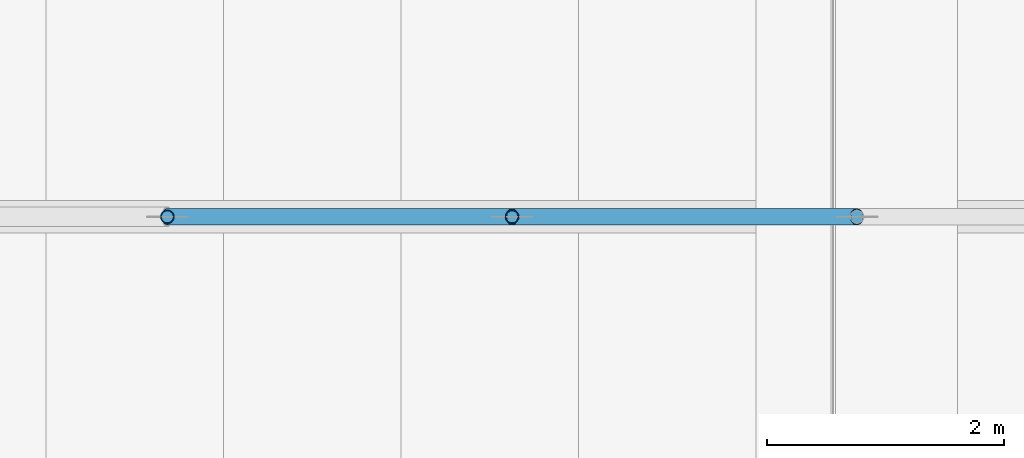
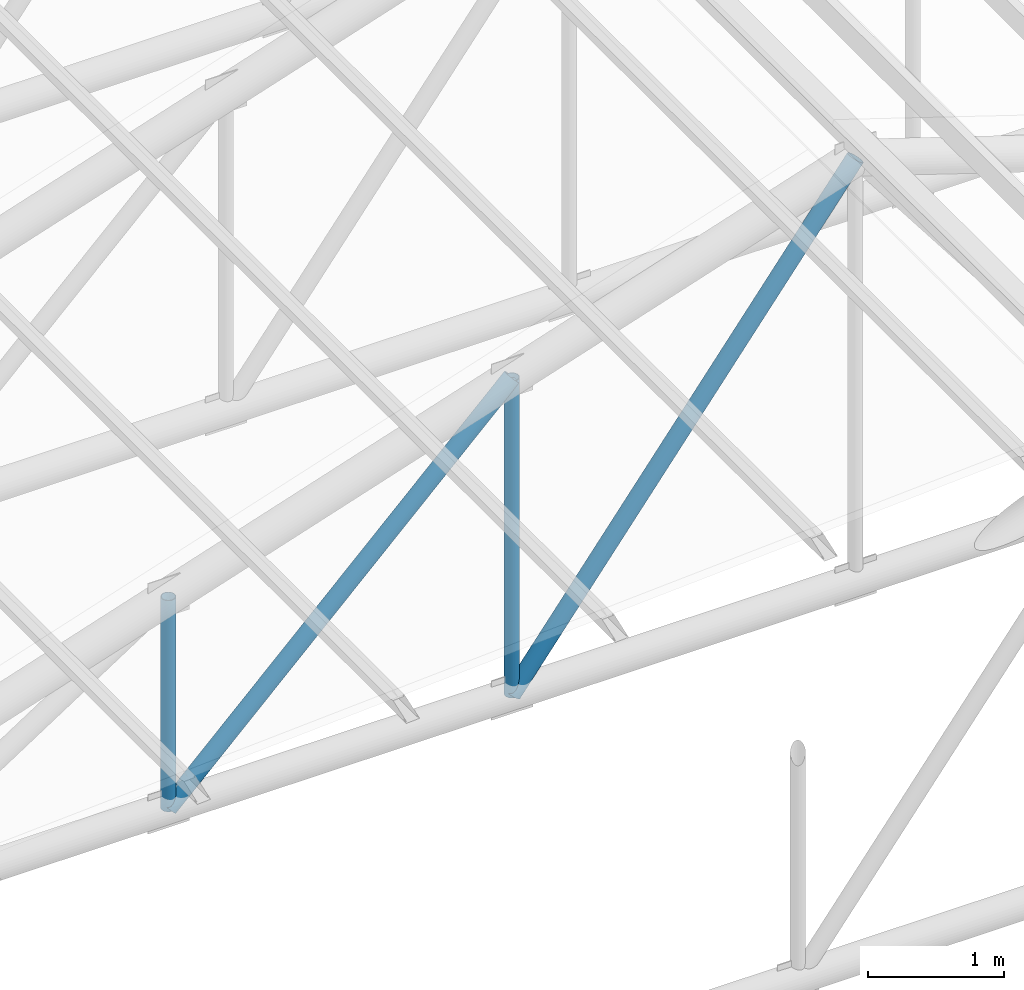
# One storey, part 41 of 95: 4 members.
"""IFC4 building model written with IfcOpenShell, lengths in metres."""

import ifcopenshell
import ifcopenshell.guid

model = None  # the IFC model being written
_history = None  # IfcOwnerHistory: only IFC2X3 demands one
_inside = {}  # id of a spatial element -> (the spatial element, [elements in it])
_under = {}  # id of a project, library or spatial element -> (it, [spatial elements below it])
_declared = {}  # id of a project -> (the project, [libraries it declares])
_typed = {}  # id of a type object -> (the type object, [elements of that type])
_made_of = {}  # id of a material, layer set ... -> (it, [elements and type objects made of it])


def new_model(schema):
    """Start an empty IFC model of exactly this schema.

    Asked for "IFC4X3", IfcOpenShell would pick the latest addendum, in which some entities
    have other attributes; the version numbers below select the first issue.
    IFC2X3 requires an IfcOwnerHistory on every rooted entity: one is made here for all.
    """
    global model, _history
    if schema == "IFC4X3":
        model = ifcopenshell.file(schema_version=(4, 3, 0, 0))
    else:
        model = ifcopenshell.file(schema=schema)
    _inside.clear()
    _under.clear()
    _declared.clear()
    _typed.clear()
    _made_of.clear()
    _history = None
    if model.schema == "IFC2X3":
        org = make("IfcOrganization", Name="unknown")
        user = make(
            "IfcPersonAndOrganization",
            ThePerson=make("IfcPerson", FamilyName="unknown"),
            TheOrganization=org,
        )
        app = make(
            "IfcApplication",
            ApplicationDeveloper=org,
            Version="unknown",
            ApplicationFullName="unknown",
            ApplicationIdentifier="unknown",
        )
        _history = make(
            "IfcOwnerHistory",
            OwningUser=user,
            OwningApplication=app,
            ChangeAction="ADDED",
            CreationDate=0,
        )
    return model


def make(cls, **values):
    """One entity of the class cls with the attributes given. An attribute that is None is left unset."""
    return model.create_entity(
        cls, **{name: value for name, value in values.items() if value is not None}
    )


def rooted(cls, **values):
    """An entity with a GlobalId (a new one), such as an element, a storey or a relation."""
    return make(cls, GlobalId=ifcopenshell.guid.new(), OwnerHistory=_history, **values)


def si_unit(unit_type, name, prefix=None):
    """IfcSIUnit, for example si_unit("LENGTHUNIT", "METRE", prefix="MILLI")."""
    return make("IfcSIUnit", UnitType=unit_type, Prefix=prefix, Name=name)


def assignment(units):
    """IfcUnitAssignment: the units of a project."""
    return None if units is None else make("IfcUnitAssignment", Units=units)


def point(xyz):
    """IfcCartesianPoint."""
    return None if xyz is None else make("IfcCartesianPoint", Coordinates=xyz)


def direction(xyz):
    """IfcDirection."""
    return None if xyz is None else make("IfcDirection", DirectionRatios=xyz)


def frame(location, z_axis=None, x_axis=None):
    """IfcAxis2Placement3D, a coordinate frame: its origin and axes. An axis left out is left unset."""
    return make(
        "IfcAxis2Placement3D",
        Location=point(location),
        Axis=direction(z_axis),
        RefDirection=direction(x_axis),
    )


def frame_2d(location, x_axis=None):
    """IfcAxis2Placement2D, a coordinate frame in the plane: its origin and x axis."""
    return make(
        "IfcAxis2Placement2D", Location=point(location), RefDirection=direction(x_axis)
    )


def origin():
    """The frame at (0, 0, 0) with its axes left unset."""
    return frame((0.0, 0.0, 0.0))


def origin_2d():
    """The frame at (0, 0) in the plane with its x axis left unset."""
    return frame_2d((0.0, 0.0))


def place(relative_to, where):
    """IfcLocalPlacement: puts the frame where relative to a parent placement (None: the world)."""
    return make(
        "IfcLocalPlacement", PlacementRelTo=relative_to, RelativePlacement=where
    )


def context(
    kind, dimensions, precision=None, world=None, true_north=None, identifier=None
):
    """IfcGeometricRepresentationContext, for example the 3D "Model" context."""
    return make(
        "IfcGeometricRepresentationContext",
        ContextIdentifier=identifier,
        ContextType=kind,
        CoordinateSpaceDimension=dimensions,
        Precision=precision,
        WorldCoordinateSystem=world,
        TrueNorth=true_north,
    )


def subcontext(parent, identifier, kind, view, scale=None):
    """IfcGeometricRepresentationSubContext, for example "Body" below "Model"."""
    return make(
        "IfcGeometricRepresentationSubContext",
        ContextIdentifier=identifier,
        ContextType=kind,
        ParentContext=parent,
        TargetScale=scale,
        TargetView=view,
    )


def project(units=None, contexts=None):
    """IfcProject with its units and contexts."""
    return rooted(
        "IfcProject",
        Name="project",
        RepresentationContexts=contexts,
        UnitsInContext=assignment(units),
    )


def spatial(cls, under=None, at=None, **own):
    """A site, building, storey or space (cls), placed at a placement, below another one or the project."""
    s = rooted(cls, ObjectPlacement=at, **own)
    if under is not None:
        _under.setdefault(under.id(), (under, []))[1].append(s)
    return s


def profile(cls, at=None, kind="AREA", **sizes):
    """A parametric profile (cls). Its sizes go by their IFC names, for example OverallWidth=200.0."""
    return make(cls, ProfileType=kind, Position=at, **sizes)


def hollow_circle(**sizes):
    """IfcCircleHollowProfileDef."""
    return profile("IfcCircleHollowProfileDef", **sizes)


def extrude(swept, where, along, depth):
    """IfcExtrudedAreaSolid: the profile swept, set in the frame where, extruded along a direction by depth."""
    return make(
        "IfcExtrudedAreaSolid",
        SweptArea=swept,
        Position=where,
        ExtrudedDirection=direction(along),
        Depth=depth,
    )


def shape(context_of_items, identifier, shape_type, items):
    """IfcShapeRepresentation: the items that make up one representation, for example the "Body"."""
    return make(
        "IfcShapeRepresentation",
        ContextOfItems=context_of_items,
        RepresentationIdentifier=identifier,
        RepresentationType=shape_type,
        Items=items,
    )


def material(Name=None, Category=None):
    """IfcMaterial."""
    return make("IfcMaterial", Name=Name, Category=Category)


def material_profile(
    of_material, cross_section, Name=None, Category=None, Priority=None
):
    """IfcMaterialProfile: a cross section and its material."""
    return make(
        "IfcMaterialProfile",
        Name=Name,
        Material=of_material,
        Profile=cross_section,
        Priority=Priority,
        Category=Category,
    )


def profile_set(profiles, Name=None, composite=None):
    """IfcMaterialProfileSet."""
    return make(
        "IfcMaterialProfileSet",
        Name=Name,
        MaterialProfiles=profiles,
        CompositeProfile=composite,
    )


def made_of(thing, what):
    """Note that an element or type object is made of a material, layer set ...; save() writes the relation."""
    if what is not None:
        _made_of.setdefault(what.id(), (what, []))[1].append(thing)
    return thing


def type_object(cls, material=None, **own):
    """A type object (cls), such as IfcWallType, which elements share."""
    return made_of(rooted(cls, **own), material)


def element(
    cls,
    number,
    at=None,
    inside=None,
    cuts=None,
    type_object=None,
    material=None,
    context=None,
    identifier="Body",
    shape_type=None,
    held_by="IfcProductDefinitionShape",
    body=None,
    shapes=None,
    **own,
):
    """One element of the class cls, such as IfcWall. Its Tag is "e" and its number.

    at: its placement. inside: the storey or other place that contains it. cuts: it is an
    opening in that element (IfcRelVoidsElement). A single representation is given by context,
    identifier, shape_type and body (its items); several are given by shapes. held_by: the class
    of the entity that holds the representations. save() writes the other relations.
    """
    e = rooted(cls, Tag="e%d" % number, ObjectPlacement=at, **own)
    if body is not None:
        shapes = [shape(context, identifier, shape_type, body)]
    if shapes is not None:
        e.Representation = make(held_by, Representations=shapes)
    if inside is not None:
        _inside.setdefault(inside.id(), (inside, []))[1].append(e)
    if cuts is not None:
        rooted(
            "IfcRelVoidsElement", RelatingBuildingElement=cuts, RelatedOpeningElement=e
        )
    if type_object is not None:
        _typed.setdefault(type_object.id(), (type_object, []))[1].append(e)
    return made_of(e, material)


def aggregate(whole, parts):
    """IfcRelAggregates: a whole, such as a stair, and the parts it consists of."""
    return rooted("IfcRelAggregates", RelatingObject=whole, RelatedObjects=parts)


def save(model, path):
    """Write the relations noted so far, then the file.

    IfcRelAggregates (storeys below a building ...), IfcRelContainedInSpatialStructure (elements
    in a storey), IfcRelDefinesByType, IfcRelAssociatesMaterial and IfcRelDeclares: one each for
    every whole, place, type object, material and project.
    """
    for whole, parts in _under.values():
        aggregate(whole, parts)
    for where, things in _inside.values():
        rooted(
            "IfcRelContainedInSpatialStructure",
            RelatedElements=things,
            RelatingStructure=where,
        )
    for kind, things in _typed.values():
        rooted("IfcRelDefinesByType", RelatedObjects=things, RelatingType=kind)
    for what, things in _made_of.values():
        rooted("IfcRelAssociatesMaterial", RelatedObjects=things, RelatingMaterial=what)
    for by, libraries in _declared.values():
        rooted("IfcRelDeclares", RelatingContext=by, RelatedDefinitions=libraries)
    model.write(path)


model = new_model("IFC4")

# Units and contexts
model_context = context("Model", 3, precision=1e-05, world=origin(), true_north=direction((0.0, 1.0)))
body_context = subcontext(model_context, "Body", "Model", "MODEL_VIEW")
ifc_project = project(units=[si_unit("LENGTHUNIT", "METRE"), si_unit("AREAUNIT", "SQUARE_METRE"), si_unit("VOLUMEUNIT", "CUBIC_METRE"), si_unit("PLANEANGLEUNIT", "RADIAN"), si_unit("MASSUNIT", "GRAM", prefix="KILO")], contexts=[model_context])

# Site, building, storey
site_placement = place(None, origin())
site = spatial("IfcSite", under=ifc_project, at=site_placement, CompositionType="ELEMENT")
building_placement = place(site_placement, origin())
building = spatial("IfcBuilding", under=site, at=building_placement, Name="Kiln Court Media Centre", CompositionType="ELEMENT")
storey_placement = place(building_placement, frame((0.0, 0.0, 24.60009765625)))
storey = spatial("IfcBuildingStorey", under=building, at=storey_placement, Name="L05", CompositionType="ELEMENT", Elevation=24.60009765625)

# Members
ifc_material_1 = material(Name="Steel ASTM A500 Gr C", Category="steel")
ifc_material_profile_1 = material_profile(ifc_material_1, hollow_circle(Radius=0.05712890625, WallThickness=0.0048828125, at=origin_2d()), Name="CHS 114.3x5.0")
ifc_profile_set_1 = profile_set([ifc_material_profile_1], Name="Steel ASTM A500 Gr C")
member_type_1 = type_object("IfcMemberType", Name="Steel ASTM A500 Gr C CHS 114.3x5.0 truss web", PredefinedType="BRACE", material=ifc_profile_set_1)
member_1_placement = place(storey_placement, frame((40.574951171875, 54.60009765625, -0.013916015625), z_axis=(0.0, 0.0, 1.0), x_axis=(1.0, 0.0, 0.0)))
element("IfcMember", 1, at=member_1_placement, inside=storey, type_object=member_type_1, Name="foyer truss FT-08 post 2 truss web", PredefinedType="BRACE", context=body_context, shape_type="SweptSolid", body=[
    extrude(hollow_circle(Radius=0.05712890625, WallThickness=0.0048828125, at=origin_2d()), origin(), (0.0, 0.0, 1.0), 1.892822265625),
])
member_2_placement = place(storey_placement, frame((43.487548828125, 54.60009765625, -0.013916015625), z_axis=(0.0, 0.0, 1.0), x_axis=(1.0, 0.0, 0.0)))
element("IfcMember", 2, at=member_2_placement, inside=storey, type_object=member_type_1, Name="foyer truss FT-08 post 3 truss web", PredefinedType="BRACE", context=body_context, shape_type="SweptSolid", body=[
    extrude(hollow_circle(Radius=0.05712890625, WallThickness=0.0048828125, at=origin_2d()), origin(), (0.0, 0.0, 1.0), 2.839111328125),
])
ifc_material_2 = material(Name="Steel ASTM A500 Gr C", Category="steel")
ifc_material_profile_2 = material_profile(ifc_material_2, hollow_circle(Radius=0.06982421875, WallThickness=0.0048828125, at=origin_2d()), Name="CHS 139.7x5.0")
ifc_profile_set_2 = profile_set([ifc_material_profile_2], Name="Steel ASTM A500 Gr C")
member_type_2 = type_object("IfcMemberType", Name="Steel ASTM A500 Gr C CHS 139.7x5.0 truss web", PredefinedType="BRACE", material=ifc_profile_set_2)
member_3_placement = place(storey_placement, frame((40.574951171875, 54.60009765625, -0.013916015625), z_axis=(0.716082640751, 0.0, 0.69801550958), x_axis=(0.0, 1.0, 0.0)))
element("IfcMember", 3, at=member_3_placement, inside=storey, type_object=member_type_2, Name="foyer truss FT-08 diagonal 3 truss web", PredefinedType="BRACE", context=body_context, shape_type="SweptSolid", body=[
    extrude(hollow_circle(Radius=0.06982421875, WallThickness=0.0048828125, at=origin_2d()), origin(), (0.0, 0.0, 1.0), 4.0673828125),
])
member_4_placement = place(storey_placement, frame((43.487548828125, 54.60009765625, -0.013916015625), z_axis=(0.609777458127, 0.0, 0.79257267904), x_axis=(0.0, 1.0, 0.0)))
element("IfcMember", 4, at=member_4_placement, inside=storey, type_object=member_type_2, Name="foyer truss FT-08 diagonal 4 truss web", PredefinedType="BRACE", context=body_context, shape_type="SweptSolid", body=[
    extrude(hollow_circle(Radius=0.06982421875, WallThickness=0.0048828125, at=origin_2d()), origin(), (0.0, 0.0, 1.0), 4.776123046875),
])

save(model, "model.ifc")
